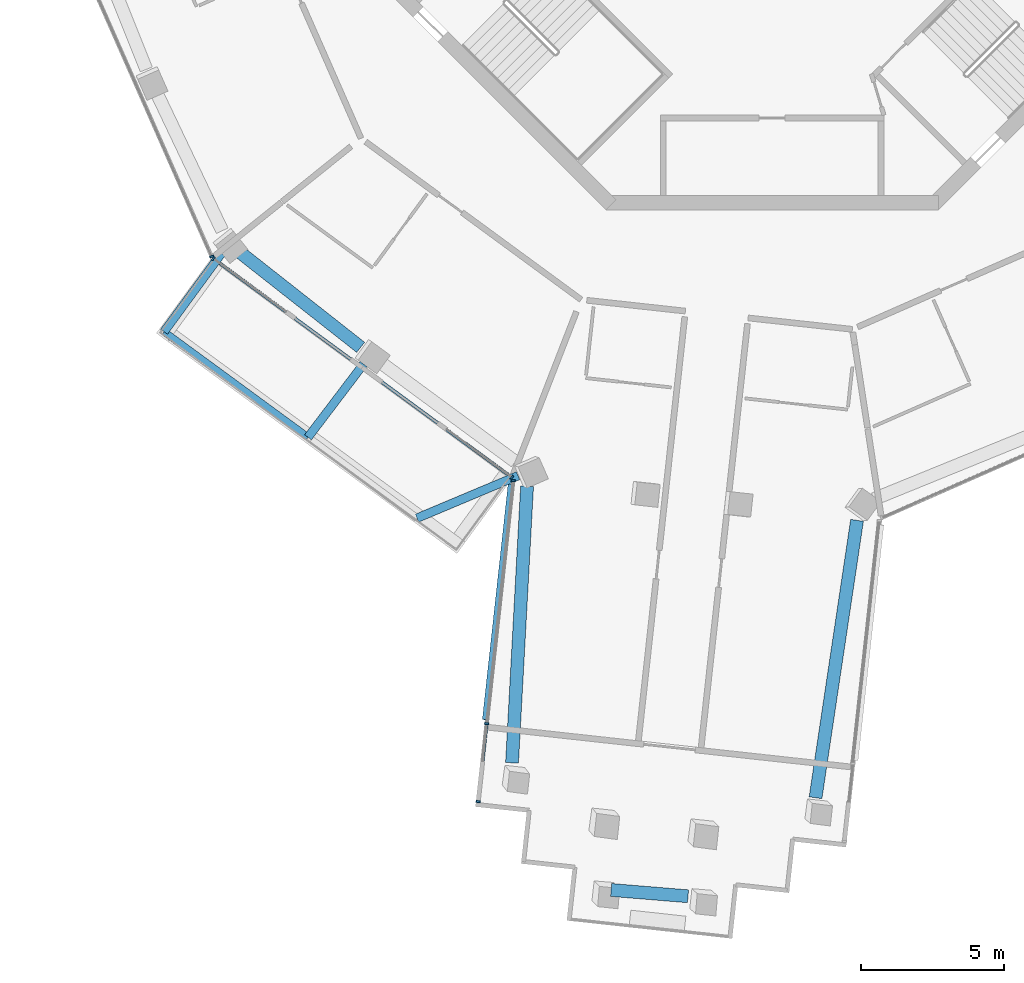
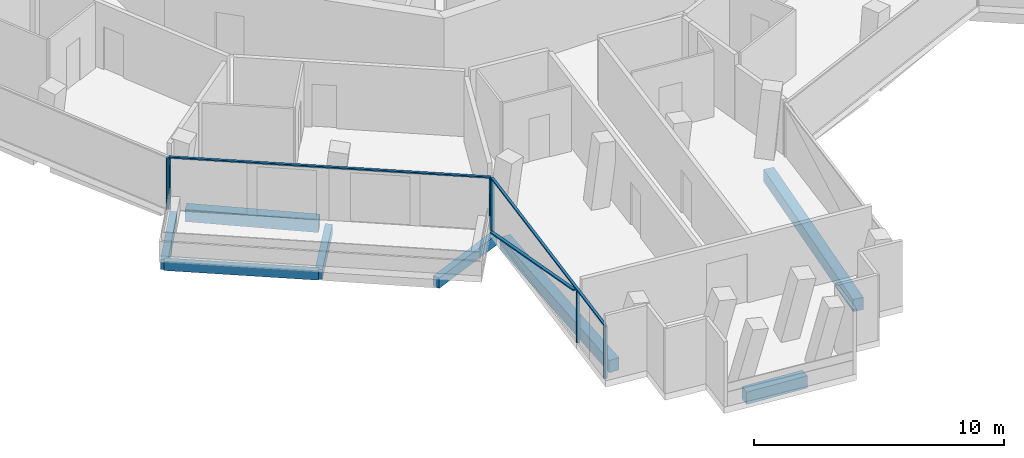
# One storey, part 2 of 22: 9 members, 8 beams, 3 elements without a shape of their own.
"""IFC4 building model written with IfcOpenShell, lengths in metres."""

from ifc_helpers import new_model, si_unit, direction, frame, origin, origin_2d, place, context, subcontext, project, spatial, rectangle, extrude, material, layer, layer_set, material_profile, profile_set, type_object, element, aggregate, save


model = new_model("IFC4")

# Units and contexts
model_context = context("Model", 3, precision=1e-05, world=origin(), true_north=direction((0.0, 1.0)))
body_context = subcontext(model_context, "Body", "Model", "MODEL_VIEW")
ifc_project = project(units=[si_unit("LENGTHUNIT", "METRE"), si_unit("AREAUNIT", "SQUARE_METRE"), si_unit("VOLUMEUNIT", "CUBIC_METRE"), si_unit("PLANEANGLEUNIT", "RADIAN"), si_unit("MASSUNIT", "GRAM", prefix="KILO")], contexts=[model_context])

# Site, building, storey
site_placement = place(None, origin())
site = spatial("IfcSite", under=ifc_project, at=site_placement, CompositionType="ELEMENT")
building_placement = place(site_placement, origin())
building = spatial("IfcBuilding", under=site, at=building_placement, Name="Verdalira Terraces Hotel", CompositionType="ELEMENT")
storey_placement = place(building_placement, frame((0.0, 0.0, 252.5)))
storey = spatial("IfcBuildingStorey", under=building, at=storey_placement, Name="L62", CompositionType="ELEMENT", Elevation=252.5)

# Beams
ifc_material_1 = material(Name="Concrete C40", Category="concrete")
ifc_material_profile_1 = material_profile(ifc_material_1, rectangle(XDim=0.300049, YDim=0.5, at=origin_2d()), Name="RC 300X500")
ifc_profile_set_1 = profile_set([ifc_material_profile_1], Name="Concrete C40")
beam_type_1 = type_object("IfcBeamType", Name="Balcony cantilever beam RC 300X500 C40", PredefinedType="BEAM", material=ifc_profile_set_1)
beam_1_placement = place(storey_placement, frame((-19.200684, -15.517822, -0.560059), z_axis=(-0.591176415, -0.806542278, 0.0), x_axis=(0.806542278, -0.591176415, 0.0)))
element("IfcBeam", 1, at=beam_1_placement, inside=storey, type_object=beam_type_1, Name="Balcony cantilever beam R13-1", PredefinedType="BEAM", context=body_context, shape_type="SweptSolid", body=[
    extrude(rectangle(XDim=0.300049, YDim=0.5, at=origin_2d()), origin(), (0.0, 0.0, 1.0), 3.391846),
])
beam_2_placement = place(storey_placement, frame((-14.249756, -19.383789, -0.560059), z_axis=(-0.60461516, -0.796517739, 0.0), x_axis=(0.796517739, -0.60461516, 0.0)))
element("IfcBeam", 2, at=beam_2_placement, inside=storey, type_object=beam_type_1, Name="Balcony cantilever beam R13-2", PredefinedType="BEAM", context=body_context, shape_type="SweptSolid", body=[
    extrude(rectangle(XDim=0.300049, YDim=0.5, at=origin_2d()), origin(), (0.0, 0.0, 1.0), 3.200928),
])
beam_3_placement = place(storey_placement, frame((-8.859619, -23.273926, -0.560059), z_axis=(-0.921864852, -0.38751154, 0.0), x_axis=(0.38751154, -0.921864852, 0.0)))
element("IfcBeam", 3, at=beam_3_placement, inside=storey, type_object=beam_type_1, Name="Balcony cantilever beam R13-3", PredefinedType="BEAM", context=body_context, shape_type="SweptSolid", body=[
    extrude(rectangle(XDim=0.300049, YDim=0.5, at=origin_2d()), origin(), (0.0, 0.0, 1.0), 3.822266),
])
ifc_material_2 = material(Name="Concrete C40", Category="concrete")
ifc_material_profile_2 = material_profile(ifc_material_2, rectangle(XDim=0.25, YDim=0.449951, at=origin_2d()), Name="RC 250X450")
ifc_profile_set_2 = profile_set([ifc_material_profile_2], Name="Concrete C40")
beam_type_2 = type_object("IfcBeamType", Name="Balcony edge beam RC 250X450 C40", PredefinedType="BEAM", material=ifc_profile_set_2)
beam_4_placement = place(storey_placement, frame((-21.205811, -18.253418, -0.534912), z_axis=(0.806554595, -0.591159611, 0.0), x_axis=(0.591159611, 0.806554595, 0.0)))
element("IfcBeam", 4, at=beam_4_placement, inside=storey, type_object=beam_type_2, Name="Balcony edge beam R13-1", PredefinedType="BEAM", context=body_context, shape_type="SweptSolid", body=[
    extrude(rectangle(XDim=0.25, YDim=0.449951, at=origin_2d()), origin(), (0.0, 0.0, 1.0), 6.224854),
])

# Curtain wall, member
ifc_material_3 = material(Name="Clear glass", Category="glass")
ifc_layer_1 = layer(ifc_material_3, 0.14990234375)
ifc_layer_set_1 = layer_set([ifc_layer_1], Name="CW1 curtain wall")
curtain_wall_type_1 = type_object("IfcCurtainWallType", Name="CW1 curtain wall", PredefinedType="NOTDEFINED", material=ifc_layer_set_1)
curtain_wall_1_placement = place(storey_placement, origin())
curtain_wall_1 = element("IfcCurtainWall", 5, at=curtain_wall_1_placement, inside=storey, type_object=curtain_wall_type_1, Name="CW1 curtain wall L62 edge 12", PredefinedType="NOTDEFINED")
ifc_material_4 = material(Name="Terracotta frame", Category="masonry")
ifc_material_profile_3 = material_profile(ifc_material_4, rectangle(XDim=0.060059, YDim=0.149902, at=origin_2d()), Name="MU 60x150")
ifc_profile_set_3 = profile_set([ifc_material_profile_3], Name="Terracotta frame")
member_type_1 = type_object("IfcMemberType", Name="CW1 mullion 60x150", PredefinedType="MULLION", material=ifc_profile_set_3)
member_1_placement = place(storey_placement, frame((-19.542969, -15.628418, 0.0), z_axis=(0.0, 0.0, 1.0), x_axis=(0.402906436, -0.915241173, 0.0)))
member_1 = element("IfcMember", 6, at=member_1_placement, type_object=member_type_1, Name="CW1 mullion", PredefinedType="MULLION", context=body_context, shape_type="SweptSolid", body=[
    extrude(rectangle(XDim=0.060059, YDim=0.149902, at=origin_2d()), origin(), (0.0, 0.0, 1.0), 2.524902),
])
aggregate(curtain_wall_1, [member_1])

# Curtain wall, members
curtain_wall_2_placement = place(storey_placement, origin())
curtain_wall_2 = element("IfcCurtainWall", 7, at=curtain_wall_2_placement, inside=storey, type_object=curtain_wall_type_1, Name="CW1 curtain wall L62 edge 13", PredefinedType="NOTDEFINED")
member_2_placement = place(storey_placement, frame((-19.482422, -15.703857, 0.0), z_axis=(0.0, 0.0, 1.0), x_axis=(0.806547795, -0.591168888, 0.0)))
member_2 = element("IfcMember", 8, at=member_2_placement, type_object=member_type_1, Name="CW1 mullion", PredefinedType="MULLION", context=body_context, shape_type="SweptSolid", body=[
    extrude(rectangle(XDim=0.060059, YDim=0.149902, at=origin_2d()), origin(), (0.0, 0.0, 1.0), 2.524902),
])
member_3_placement = place(storey_placement, frame((-9.078125, -23.329834, 0.0), z_axis=(0.0, 0.0, 1.0), x_axis=(0.806547795, -0.591168888, 0.0)))
member_3 = element("IfcMember", 9, at=member_3_placement, type_object=member_type_1, Name="CW1 mullion", PredefinedType="MULLION", context=body_context, shape_type="SweptSolid", body=[
    extrude(rectangle(XDim=0.060059, YDim=0.149902, at=origin_2d()), origin(), (0.0, 0.0, 1.0), 2.524902),
])
ifc_material_5 = material(Name="Terracotta frame", Category="masonry")
ifc_material_profile_4 = material_profile(ifc_material_5, rectangle(XDim=0.110107, YDim=0.064941, at=origin_2d()), Name="TR 65x110")
ifc_profile_set_4 = profile_set([ifc_material_profile_4], Name="Terracotta frame")
member_type_2 = type_object("IfcMemberType", Name="CW1 transom 65x110", PredefinedType="USERDEFINED", material=ifc_profile_set_4)
member_4_placement = place(storey_placement, frame((-19.506592, -15.686279, 2.557617), z_axis=(0.806548112, -0.591168456, 0.0), x_axis=(0.591168456, 0.806548112, 0.0)))
member_4 = element("IfcMember", 10, at=member_4_placement, type_object=member_type_2, Name="CW1 transom", ObjectType="TRANSOM", PredefinedType="USERDEFINED", context=body_context, shape_type="SweptSolid", body=[
    extrude(rectangle(XDim=0.110107, YDim=0.064941, at=origin_2d()), origin(), (0.0, 0.0, 1.0), 12.959717),
])
aggregate(curtain_wall_2, [member_2, member_3, member_4])

ifc_material_6 = material(Name="Clear glass", Category="glass")
ifc_layer_2 = layer(ifc_material_6, 0.14990234375)
ifc_layer_set_2 = layer_set([ifc_layer_2], Name="CW2 curtain wall")
curtain_wall_type_2 = type_object("IfcCurtainWallType", Name="CW2 curtain wall", PredefinedType="NOTDEFINED", material=ifc_layer_set_2)
curtain_wall_3_placement = place(storey_placement, origin())
curtain_wall_3 = element("IfcCurtainWall", 11, at=curtain_wall_3_placement, inside=storey, type_object=curtain_wall_type_2, Name="CW2 curtain wall L62 edge 14", PredefinedType="NOTDEFINED")
ifc_material_7 = material(Name="Terracotta frame", Category="masonry")
ifc_material_profile_5 = material_profile(ifc_material_7, rectangle(XDim=0.070068, YDim=0.149902, at=origin_2d()), Name="MU 70x150")
ifc_profile_set_5 = profile_set([ifc_material_profile_5], Name="Terracotta frame")
member_type_3 = type_object("IfcMemberType", Name="CW2 mullion 70x150", PredefinedType="MULLION", material=ifc_profile_set_5)
member_5_placement = place(storey_placement, frame((-9.027344, -23.450928, 0.0), z_axis=(0.0, 0.0, 1.0), x_axis=(-0.108693378, -0.994075324, 0.0)))
member_5 = element("IfcMember", 12, at=member_5_placement, type_object=member_type_3, Name="CW2 mullion", PredefinedType="MULLION", context=body_context, shape_type="SweptSolid", body=[
    extrude(rectangle(XDim=0.070068, YDim=0.149902, at=origin_2d()), origin(), (0.0, 0.0, 1.0), 2.524902),
])
member_6_placement = place(storey_placement, frame((-9.953613, -31.922363, 0.0), z_axis=(0.0, 0.0, 1.0), x_axis=(-0.108693378, -0.994075324, 0.0)))
member_6 = element("IfcMember", 13, at=member_6_placement, type_object=member_type_3, Name="CW2 mullion", PredefinedType="MULLION", context=body_context, shape_type="SweptSolid", body=[
    extrude(rectangle(XDim=0.070068, YDim=0.149902, at=origin_2d()), origin(), (0.0, 0.0, 1.0), 2.524902),
])
member_7_placement = place(storey_placement, frame((-10.250977, -34.641113, 0.0), z_axis=(0.0, 0.0, 1.0), x_axis=(-0.108693378, -0.994075324, 0.0)))
member_7 = element("IfcMember", 14, at=member_7_placement, type_object=member_type_3, Name="CW2 mullion", PredefinedType="MULLION", context=body_context, shape_type="SweptSolid", body=[
    extrude(rectangle(XDim=0.070068, YDim=0.149902, at=origin_2d()), origin(), (0.0, 0.0, 1.0), 2.524902),
])
ifc_material_8 = material(Name="Terracotta frame", Category="masonry")
ifc_material_profile_6 = material_profile(ifc_material_8, rectangle(XDim=0.11499, YDim=0.064941, at=origin_2d()), Name="TR 65x115")
ifc_profile_set_6 = profile_set([ifc_material_profile_6], Name="Terracotta frame")
member_type_4 = type_object("IfcMemberType", Name="CW2 transom 65x115", PredefinedType="USERDEFINED", material=ifc_profile_set_6)
member_8_placement = place(storey_placement, frame((-9.023682, -23.41626, 2.557617), z_axis=(-0.108697305, -0.994074895, 0.0), x_axis=(0.994074895, -0.108697305, 0.0)))
member_8 = element("IfcMember", 15, at=member_8_placement, type_object=member_type_4, Name="CW2 transom", ObjectType="TRANSOM", PredefinedType="USERDEFINED", context=body_context, shape_type="SweptSolid", body=[
    extrude(rectangle(XDim=0.11499, YDim=0.064941, at=origin_2d()), origin(), (0.0, 0.0, 1.0), 11.326904),
])
ifc_material_9 = material(Name="Terracotta frame", Category="masonry")
ifc_material_profile_7 = material_profile(ifc_material_9, rectangle(XDim=0.149902, YDim=0.060059, at=origin_2d()), Name="GB 60x150")
ifc_profile_set_7 = profile_set([ifc_material_profile_7], Name="Terracotta frame")
member_type_5 = type_object("IfcMemberType", Name="Diagonal glazing bar 60x150", PredefinedType="USERDEFINED", material=ifc_profile_set_7)
member_9_placement = place(storey_placement, frame((-9.132324, -23.573486, 0.029297), z_axis=(-0.104162129, -0.952477095, 0.286247505), x_axis=(0.99407339, -0.108711066, 0.0)))
member_9 = element("IfcMember", 16, at=member_9_placement, type_object=member_type_5, Name="Diagonal glazing bar", ObjectType="GLAZING BAR", PredefinedType="USERDEFINED", context=body_context, shape_type="SweptSolid", body=[
    extrude(rectangle(XDim=0.149902, YDim=0.060059, at=origin_2d()), origin(), (0.0, 0.0, 1.0), 8.615967),
])
aggregate(curtain_wall_3, [member_5, member_6, member_7, member_8, member_9])

# Beams
ifc_material_10 = material(Name="Concrete C40", Category="concrete")
ifc_material_profile_8 = material_profile(ifc_material_10, rectangle(XDim=0.449951, YDim=0.600098, at=origin_2d()), Name="RC 450X600")
ifc_profile_set_8 = profile_set([ifc_material_profile_8], Name="Concrete C40")
beam_type_3 = type_object("IfcBeamType", Name="Spandrel beam RC 450X600 C40", PredefinedType="SPANDREL", material=ifc_profile_set_8)
beam_5_placement = place(storey_placement, frame((-18.590576, -15.460938, -0.610107), z_axis=(0.785944599, -0.618296925, 0.0), x_axis=(0.618296925, 0.785944599, 0.0)))
element("IfcBeam", 17, at=beam_5_placement, inside=storey, type_object=beam_type_3, Name="Spandrel beam B06", PredefinedType="SPANDREL", context=body_context, shape_type="SweptSolid", body=[
    extrude(rectangle(XDim=0.449951, YDim=0.600098, at=origin_2d()), origin(), (0.0, 0.0, 1.0), 5.396973),
])
beam_6_placement = place(storey_placement, frame((-8.54541, -23.643066, -0.610107), z_axis=(-0.054263358, -0.998526659, 0.0), x_axis=(0.998526659, -0.054263358, 0.0)))
element("IfcBeam", 18, at=beam_6_placement, inside=storey, type_object=beam_type_3, Name="Spandrel beam B08", PredefinedType="SPANDREL", context=body_context, shape_type="SweptSolid", body=[
    extrude(rectangle(XDim=0.449951, YDim=0.600098, at=origin_2d()), origin(), (0.0, 0.0, 1.0), 9.659668),
])
beam_7_placement = place(storey_placement, frame((-5.614014, -37.721924, -0.610107), z_axis=(0.996639578, -0.081911854, 0.0), x_axis=(0.081911854, 0.996639578, 0.0)))
element("IfcBeam", 19, at=beam_7_placement, inside=storey, type_object=beam_type_3, Name="Spandrel beam B09", PredefinedType="SPANDREL", context=body_context, shape_type="SweptSolid", body=[
    extrude(rectangle(XDim=0.449951, YDim=0.600098, at=origin_2d()), origin(), (0.0, 0.0, 1.0), 2.691406),
])
beam_8_placement = place(storey_placement, frame((1.515137, -34.506104, -0.610107), z_axis=(0.148008468, 0.988986094, 0.0), x_axis=(-0.988986094, 0.148008468, 0.0)))
element("IfcBeam", 20, at=beam_8_placement, inside=storey, type_object=beam_type_3, Name="Spandrel beam B10", PredefinedType="SPANDREL", context=body_context, shape_type="SweptSolid", body=[
    extrude(rectangle(XDim=0.449951, YDim=0.600098, at=origin_2d()), origin(), (0.0, 0.0, 1.0), 9.781494),
])

save(model, "model.ifc")
